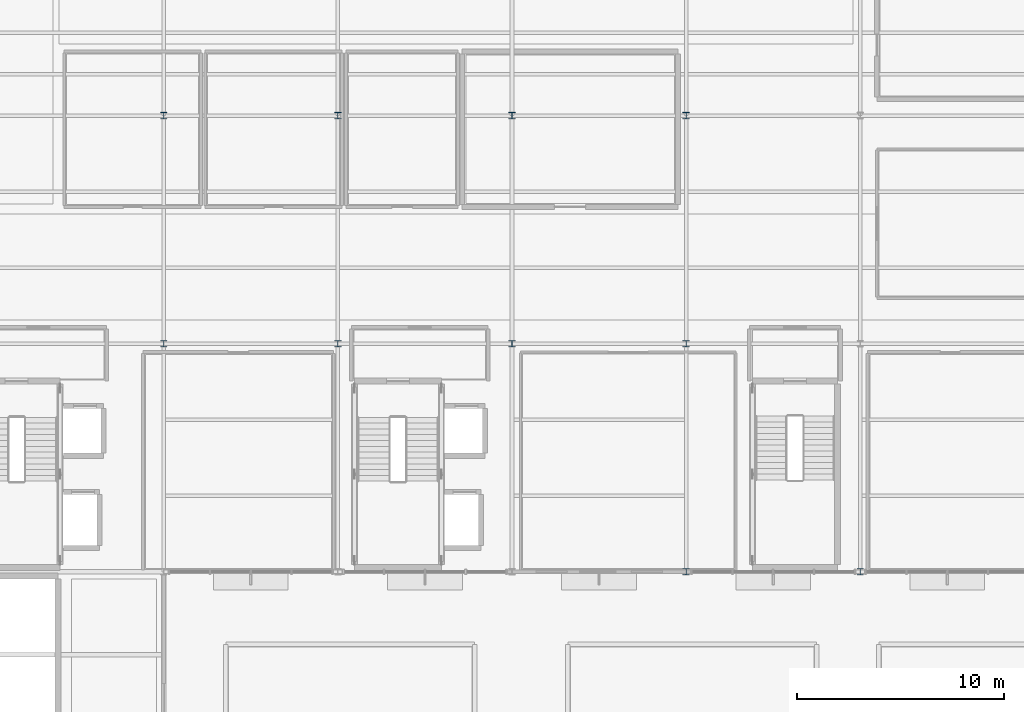
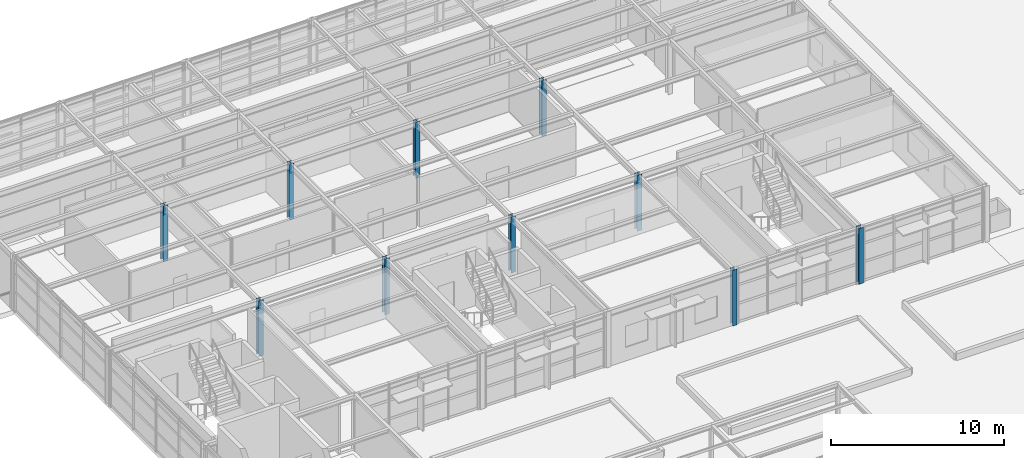
# One storey, part 10 of 49: 10 columns.
"""IFC4 building model written with IfcOpenShell, lengths in metres."""

from ifc_helpers import new_model, si_unit, direction, frame, origin, origin_2d, place, context, subcontext, project, spatial, i_section, extrude, material, material_profile, profile_set, type_object, element, save


model = new_model("IFC4")

# Units and contexts
model_context = context("Model", 3, precision=1e-05, world=origin(), true_north=direction((0.0, 1.0)))
body_context = subcontext(model_context, "Body", "Model", "MODEL_VIEW")
ifc_project = project(units=[si_unit("LENGTHUNIT", "METRE"), si_unit("AREAUNIT", "SQUARE_METRE"), si_unit("VOLUMEUNIT", "CUBIC_METRE"), si_unit("PLANEANGLEUNIT", "RADIAN"), si_unit("MASSUNIT", "GRAM", prefix="KILO")], contexts=[model_context])

# Site, building, storey
site_placement = place(None, origin())
site = spatial("IfcSite", under=ifc_project, at=site_placement, CompositionType="ELEMENT")
building_placement = place(site_placement, origin())
building = spatial("IfcBuilding", under=site, at=building_placement, Name="Sitalva Quay Ferry Terminal", CompositionType="ELEMENT")
storey_placement = place(building_placement, frame((0.0, 0.0, 10.199951171875)))
storey = spatial("IfcBuildingStorey", under=building, at=storey_placement, Name="L03", CompositionType="ELEMENT", Elevation=10.199951171875)

# Columns
ifc_material = material(Name="Structural Steel S355JR", Category="steel")
ifc_material_profile = material_profile(ifc_material, i_section(OverallWidth=0.305908203125, OverallDepth=0.31103515625, WebThickness=0.010986328125, FlangeThickness=0.01708984375, FilletRadius=0.014892578125, at=origin_2d()), Name="W310x107")
ifc_profile_set = profile_set([ifc_material_profile], Name="Structural Steel S355JR")
column_type = type_object("IfcColumnType", Name="Col_W310x107", PredefinedType="COLUMN", material=ifc_profile_set)
for number, where, z_axis, x_axis, name in (
    (1, (109.199951171875, 78.0, 0.0), (0.0, 0.0, 1.0), (1.0, 0.0, 0.0), "L03 column 14J"),
    (2, (117.60009765625, 78.0, 0.0), (0.0, 0.0, 1.0), (1.0, 0.0, 0.0), "L03 column 15J"),
    (3, (84.0, 89.0, 0.0), (0.0, 0.0, 1.0), (1.0, 0.0, 0.0), "L03 column 11K"),
    (4, (92.39990234375, 89.0, 0.0), (0.0, 0.0, 1.0), (1.0, 0.0, 0.0), "L03 column 12K"),
    (5, (100.800048828125, 89.0, 0.0), (0.0, 0.0, 1.0), (1.0, 0.0, 0.0), "L03 column 13K"),
    (6, (109.199951171875, 89.0, 0.0), (0.0, 0.0, 1.0), (1.0, 0.0, 0.0), "L03 column 14K"),
    (7, (84.0, 100.0, 0.0), (0.0, 0.0, 1.0), (1.0, 0.0, 0.0), "L03 column 11L"),
    (8, (92.39990234375, 100.0, 0.0), (0.0, 0.0, 1.0), (1.0, 0.0, 0.0), "L03 column 12L"),
    (9, (100.800048828125, 100.0, 0.0), (0.0, 0.0, 1.0), (1.0, 0.0, 0.0), "L03 column 13L"),
    (10, (109.199951171875, 100.0, 0.0), (0.0, 0.0, 1.0), (1.0, 0.0, 0.0), "L03 column 14L"),
):
    element("IfcColumn", number, at=place(storey_placement, frame(where, z_axis=z_axis, x_axis=x_axis)), inside=storey, type_object=column_type, Name=name, PredefinedType="COLUMN", context=body_context, shape_type="SweptSolid", body=[
        extrude(i_section(OverallWidth=0.305908203125, OverallDepth=0.31103515625, WebThickness=0.010986328125, FlangeThickness=0.01708984375, FilletRadius=0.014892578125, at=origin_2d()), origin(), (0.0, 0.0, 1.0), 3.920166015625),
    ])

save(model, "model.ifc")
